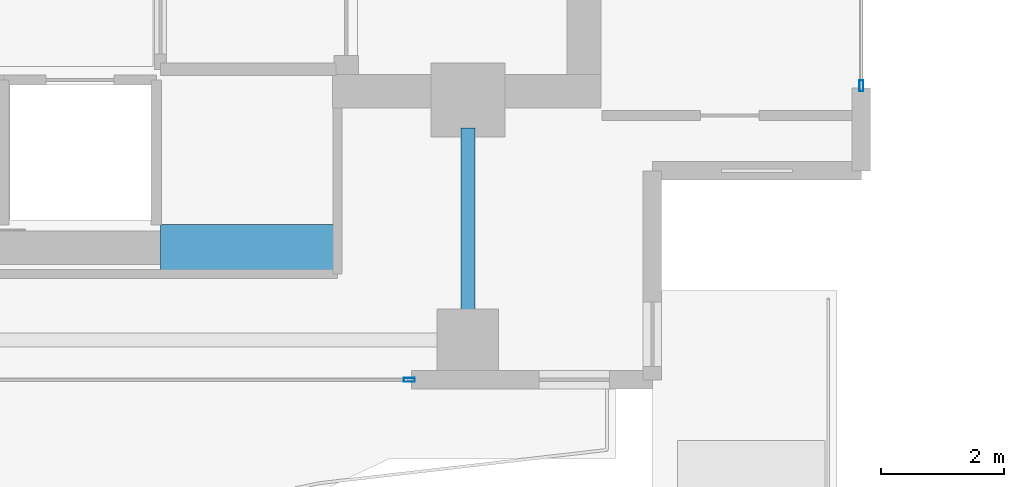
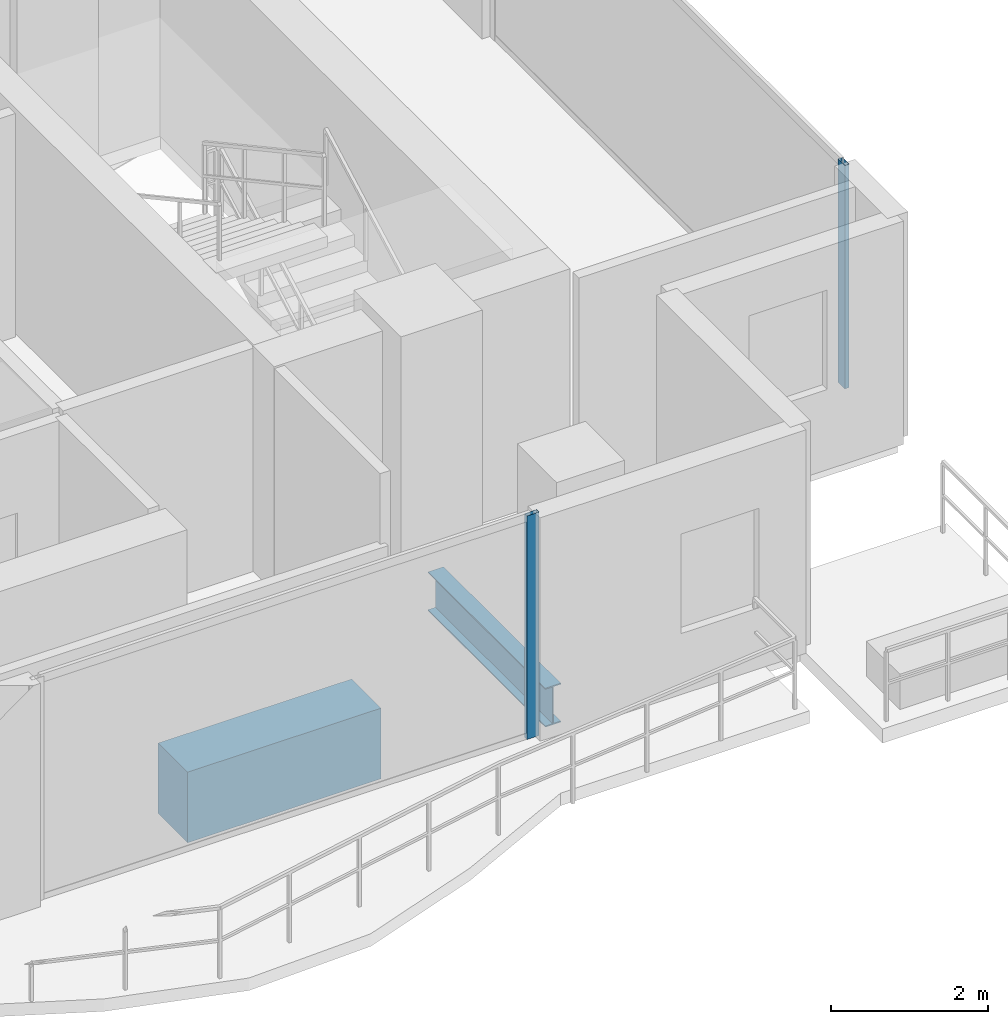
# One storey, part 8 of 26: 2 beams, 2 members, 2 elements without a shape of their own.
"""IFC4 building model written with IfcOpenShell, lengths in metres."""

from ifc_helpers import new_model, si_unit, direction, frame, origin, origin_2d, place, context, subcontext, project, spatial, rectangle, hollow_rectangle, i_section, extrude, material, layer, layer_set, material_profile, profile_set, type_object, element, aggregate, save


model = new_model("IFC4")

# Units and contexts
model_context = context("Model", 3, precision=1e-05, world=origin(), true_north=direction((0.0, 1.0)))
body_context = subcontext(model_context, "Body", "Model", "MODEL_VIEW")
ifc_project = project(units=[si_unit("LENGTHUNIT", "METRE"), si_unit("AREAUNIT", "SQUARE_METRE"), si_unit("VOLUMEUNIT", "CUBIC_METRE"), si_unit("PLANEANGLEUNIT", "RADIAN"), si_unit("MASSUNIT", "GRAM", prefix="KILO")], contexts=[model_context])

# Site, building, storey
site_placement = place(None, origin())
site = spatial("IfcSite", under=ifc_project, at=site_placement, CompositionType="ELEMENT")
building_placement = place(site_placement, origin())
building = spatial("IfcBuilding", under=site, at=building_placement, Name="Zuhayl Quay Hotel", CompositionType="ELEMENT")
storey_placement = place(building_placement, frame((0.0, 0.0, 254.449951171875)))
storey = spatial("IfcBuildingStorey", under=building, at=storey_placement, Name="L64", CompositionType="ELEMENT", Elevation=254.449951171875)

# Beams
ifc_material_1 = material(Name="Steel ASTM A992 Grade 50", Category="steel")
ifc_material_profile_1 = material_profile(ifc_material_1, i_section(OverallWidth=0.22802734375, OverallDepth=0.60693359375, WebThickness=0.01123046875, FlangeThickness=0.017333984375, at=origin_2d()), Name="W24X76")
ifc_profile_set_1 = profile_set([ifc_material_profile_1], Name="Steel ASTM A992 Grade 50")
beam_type_1 = type_object("IfcBeamType", Name="BM_B3_W24X76", PredefinedType="BEAM", material=ifc_profile_set_1)
beam_1_placement = place(storey_placement, frame((13.800048828125, 1.110107421875, -0.5234375), z_axis=(0.0, 1.0, 0.0), x_axis=(-1.0, 0.0, 0.0)))
element("IfcBeam", 1, at=beam_1_placement, inside=storey, type_object=beam_type_1, Name="L64 Floor Beam FG_S_L64_4", PredefinedType="BEAM", context=body_context, shape_type="SweptSolid", body=[
    extrude(i_section(OverallWidth=0.22802734375, OverallDepth=0.60693359375, WebThickness=0.01123046875, FlangeThickness=0.017333984375, at=origin_2d()), origin(), (0.0, 0.0, 1.0), 2.989990234375),
])
ifc_material_2 = material(Name="Concrete C60/75", Category="concrete")
ifc_material_profile_2 = material_profile(ifc_material_2, rectangle(XDim=0.75, YDim=1.10009765625, at=origin_2d()), Name="RC750X1100")
ifc_profile_set_2 = profile_set([ifc_material_profile_2], Name="Concrete C60/75")
beam_type_2 = type_object("IfcBeamType", Name="BM_CB2_RC750", PredefinedType="T_BEAM", material=ifc_profile_set_2)
beam_2_placement = place(storey_placement, frame((8.800048828125, 2.14990234375, -0.77001953125), z_axis=(1.0, 0.0, 0.0), x_axis=(0.0, 1.0, 0.0)))
element("IfcBeam", 2, at=beam_2_placement, inside=storey, type_object=beam_type_2, Name="L64 Core Coupling Beam SE", PredefinedType="T_BEAM", context=body_context, shape_type="SweptSolid", body=[
    extrude(rectangle(XDim=0.75, YDim=1.10009765625, at=origin_2d()), origin(), (0.0, 0.0, 1.0), 2.849853515625),
])

# Curtain wall, member
ifc_material_3 = material(Name="Anodised Aluminium 6063-T6", Category="aluminium")
ifc_layer = layer(ifc_material_3, 0.169921875, Name="Anodised Aluminium 6063-T6", Category="aluminium")
ifc_layer_set = layer_set([ifc_layer], Name="Anodised Aluminium 6063-T6")
curtain_wall_type = type_object("IfcCurtainWallType", Name="CW_SYS_Z4", PredefinedType="USERDEFINED", material=ifc_layer_set)
curtain_wall_1_placement = place(storey_placement, origin())
curtain_wall_1 = element("IfcCurtainWall", 3, at=curtain_wall_1_placement, inside=storey, type_object=curtain_wall_type, Name="L64 Curtain Wall ENV_L64_E14_CW1", ObjectType="UNITISED CURTAIN WALL", PredefinedType="USERDEFINED")
ifc_material_4 = material(Name="Black-anodised aluminium 6063-T6", Category="aluminium")
ifc_material_profile_3 = material_profile(ifc_material_4, hollow_rectangle(XDim=0.06494140625, YDim=0.179931640625, WallThickness=0.00341796875, at=origin_2d()), Name="ALU180X65")
ifc_profile_set_3 = profile_set([ifc_material_profile_3], Name="Black-anodised aluminium 6063-T6")
member_type = type_object("IfcMemberType", Name="MB_CW_MUL_180", PredefinedType="MULLION", material=ifc_profile_set_3)
member_1_placement = place(storey_placement, frame((20.199951171875, 4.782470703125, 0.0), z_axis=(0.0, 0.0, 1.0), x_axis=(1.0, 0.0, 0.0)))
member_1 = element("IfcMember", 4, at=member_1_placement, type_object=member_type, Name="CW-Z4 mullion 2", PredefinedType="MULLION", context=body_context, shape_type="SweptSolid", body=[
    extrude(hollow_rectangle(XDim=0.06494140625, YDim=0.179931640625, WallThickness=0.00341796875, at=origin_2d()), origin(), (0.0, 0.0, 1.0), 3.47998046875),
])
aggregate(curtain_wall_1, [member_1])

curtain_wall_2_placement = place(storey_placement, origin())
curtain_wall_2 = element("IfcCurtainWall", 5, at=curtain_wall_2_placement, inside=storey, type_object=curtain_wall_type, Name="L64 Curtain Wall ENV_L64_S_CW1", ObjectType="UNITISED CURTAIN WALL", PredefinedType="USERDEFINED")
member_2_placement = place(storey_placement, frame((12.847412109375, 0.0, 0.0), z_axis=(0.0, 0.0, 1.0), x_axis=(0.0, -1.0, 0.0)))
member_2 = element("IfcMember", 6, at=member_2_placement, type_object=member_type, Name="CW-Z4 mullion 1", PredefinedType="MULLION", context=body_context, shape_type="SweptSolid", body=[
    extrude(hollow_rectangle(XDim=0.06494140625, YDim=0.179931640625, WallThickness=0.00341796875, at=origin_2d()), origin(), (0.0, 0.0, 1.0), 3.47998046875),
])
aggregate(curtain_wall_2, [member_2])

save(model, "model.ifc")
